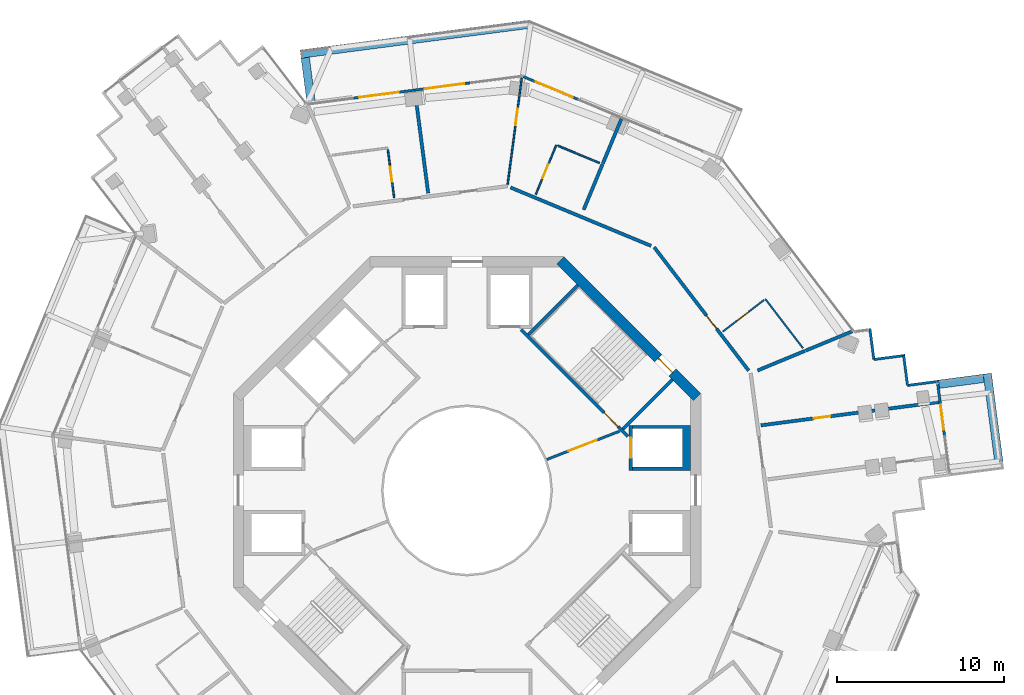
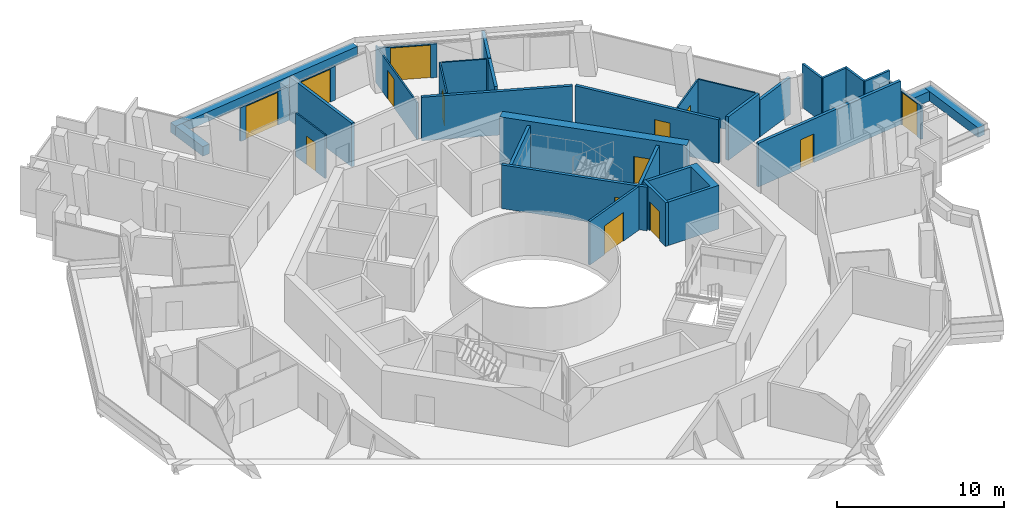
# One storey, part 21 of 25: 33 walls, 14 doors, 14 openings.
"""IFC4 building model written with IfcOpenShell, lengths in metres."""

from ifc_helpers import new_model, si_unit, direction, frame, frame_2d, origin, place, context, subcontext, project, spatial, polyline, rectangle, outline, extrude, material, layer, layer_set, type_object, element, fill, save


model = new_model("IFC4")

# Units and contexts
model_context = context("Model", 3, precision=1e-05, world=origin(), true_north=direction((0.0, 1.0)))
body_context = subcontext(model_context, "Body", "Model", "MODEL_VIEW")
ifc_project = project(units=[si_unit("LENGTHUNIT", "METRE"), si_unit("AREAUNIT", "SQUARE_METRE"), si_unit("VOLUMEUNIT", "CUBIC_METRE"), si_unit("PLANEANGLEUNIT", "RADIAN"), si_unit("MASSUNIT", "GRAM", prefix="KILO")], contexts=[model_context])

# Site, building, storey
site_placement = place(None, origin())
site = spatial("IfcSite", under=ifc_project, at=site_placement, CompositionType="ELEMENT")
building_placement = place(site_placement, origin())
building = spatial("IfcBuilding", under=site, at=building_placement, Name="Verdalira Terraces Hotel", CompositionType="ELEMENT")
storey_placement = place(building_placement, frame((0.0, 0.0, 187.0)))
storey = spatial("IfcBuildingStorey", under=building, at=storey_placement, Name="L45", CompositionType="ELEMENT", Elevation=187.0)

# Walls
ifc_material_1 = material(Name="Concrete C40", Category="concrete")
ifc_layer_1 = layer(ifc_material_1, 0.5)
ifc_layer_set_1 = layer_set([ifc_layer_1], Name="Balcony planter trough with tree")
wall_type_1 = type_object("IfcWallType", Name="Balcony planter trough with tree", PredefinedType="SOLIDWALL", material=ifc_layer_set_1)
wall_1_placement = place(storey_placement, frame((31.851318, 1.739014, 0.0), z_axis=(0.0, 0.0, 1.0), x_axis=(-0.12948688, 0.991581135, 0.0)))
element("IfcWall", 1, at=wall_1_placement, inside=storey, type_object=wall_type_1, Name="Balcony planter", PredefinedType="SOLIDWALL", context=body_context, shape_type="SweptSolid", body=[
    extrude(rectangle(XDim=5.300049, YDim=0.5, at=frame_2d((2.649902, 0.0))), origin(), (0.0, 0.0, 1.0), 0.699951),
])
wall_2_placement = place(storey_placement, frame((30.949463, 6.714111, 0.0), z_axis=(0.0, 0.0, 1.0), x_axis=(-0.991575172, -0.129532535, 0.0)))
element("IfcWall", 2, at=wall_2_placement, inside=storey, type_object=wall_type_1, Name="Balcony planter", PredefinedType="SOLIDWALL", context=body_context, shape_type="SweptSolid", body=[
    extrude(rectangle(XDim=2.698975, YDim=0.5, at=frame_2d((1.349609, 0.0))), origin(), (0.0, 0.0, 1.0), 0.699951),
])
wall_3_placement = place(storey_placement, frame((3.639404, 27.914551, 0.0), z_axis=(0.0, 0.0, 1.0), x_axis=(-0.991582546, -0.12947608, 0.0)))
element("IfcWall", 3, at=wall_3_placement, inside=storey, type_object=wall_type_1, Name="Balcony planter", PredefinedType="SOLIDWALL", context=body_context, shape_type="SweptSolid", body=[
    extrude(rectangle(XDim=13.723389, YDim=0.5, at=frame_2d((6.861816, 0.0))), origin(), (0.0, 0.0, 1.0), 0.699951),
])
wall_4_placement = place(storey_placement, frame((-9.688232, 25.922119, 0.0), z_axis=(0.0, 0.0, 1.0), x_axis=(0.129532535, -0.991575172, 0.0)))
element("IfcWall", 4, at=wall_4_placement, inside=storey, type_object=wall_type_1, Name="Balcony planter", PredefinedType="SOLIDWALL", context=body_context, shape_type="SweptSolid", body=[
    extrude(rectangle(XDim=2.698975, YDim=0.5, at=frame_2d((1.349609, 0.0))), origin(), (0.0, 0.0, 1.0), 0.699951),
])

# Wall, opening, door
ifc_material_2 = material(Name="Moisture-resistant gypsum board partition")
ifc_layer_2 = layer(ifc_material_2, 0.10009765625)
ifc_layer_set_2 = layer_set([ifc_layer_2], Name="Bathroom partition 100 mm")
wall_type_2 = type_object("IfcWallType", Name="Bathroom partition 100 mm", PredefinedType="PARTITIONING", material=ifc_layer_set_2)
wall_5_placement = place(storey_placement, frame((-4.366455, 17.540527, 0.0), z_axis=(0.0, 0.0, 1.0), x_axis=(-0.129472341, 0.991583034, 0.0)))
wall_5 = element("IfcWall", 5, at=wall_5_placement, inside=storey, type_object=wall_type_2, Name="Bathroom partition", PredefinedType="PARTITIONING", context=body_context, shape_type="SweptSolid", body=[
    extrude(rectangle(XDim=2.900146, YDim=0.100098, at=frame_2d((1.450195, 0.0))), origin(), (0.0, 0.0, 1.0), 3.189941),
])
opening_1_placement = place(wall_5_placement, frame((0.949951, 0.0, 0.0)))
opening_1 = element("IfcOpeningElement", 6, at=opening_1_placement, cuts=wall_5, Name="Opening L45-131", PredefinedType="OPENING", context=body_context, shape_type="SweptSolid", body=[
    extrude(rectangle(XDim=0.899902, YDim=2.100098, at=frame_2d((0.449951, 1.050049))), frame((0.0, 0.060059, 0.0), z_axis=(0.0, -1.0, 0.0), x_axis=(1.0, 0.0, 0.0)), (0.0, 0.0, 1.0), 0.120117),
])
ifc_material_3 = material(Name="Timber door", Category="wood")
door_type_1 = type_object("IfcDoorType", Name="Bathroom door 900 x 2100", OperationType="NOTDEFINED", PredefinedType="DOOR", material=ifc_material_3)
door_1_placement = place(opening_1_placement, origin())
door_1 = element("IfcDoor", 7, at=door_1_placement, inside=storey, type_object=door_type_1, Name="Bathroom door 4511", OperationType="SINGLE_SWING_RIGHT", OverallHeight=2.10009765625, OverallWidth=0.89990234375, PredefinedType="DOOR", context=body_context, shape_type="SweptSolid", body=[
    extrude(rectangle(XDim=0.899902, YDim=2.100098, at=frame_2d((0.449951, 1.050049))), frame((0.0, 0.024902, 0.0), z_axis=(0.0, -1.0, 0.0), x_axis=(1.0, 0.0, 0.0)), (0.0, 0.0, 1.0), 0.050049),
])
fill(opening_1, door_1)

wall_6_placement = place(storey_placement, frame((5.346924, 20.690186, 0.0), z_axis=(0.0, 0.0, 1.0), x_axis=(-0.383618341, -0.923491726, 0.0)))
wall_6 = element("IfcWall", 8, at=wall_6_placement, inside=storey, type_object=wall_type_2, Name="Bathroom partition", PredefinedType="PARTITIONING", context=body_context, shape_type="SweptSolid", body=[
    extrude(rectangle(XDim=3.199951, YDim=0.100098, at=frame_2d((1.600098, 0.0))), origin(), (0.0, 0.0, 1.0), 3.189941),
])
opening_2_placement = place(wall_6_placement, frame((1.25, 0.0, 0.0)))
opening_2 = element("IfcOpeningElement", 9, at=opening_2_placement, cuts=wall_6, Name="Opening L45-129", PredefinedType="OPENING", context=body_context, shape_type="SweptSolid", body=[
    extrude(rectangle(XDim=0.899902, YDim=2.100098, at=frame_2d((0.449951, 1.050049))), frame((0.0, 0.060059, 0.0), z_axis=(0.0, -1.0, 0.0), x_axis=(1.0, 0.0, 0.0)), (0.0, 0.0, 1.0), 0.120117),
])
door_2_placement = place(opening_2_placement, origin())
door_2 = element("IfcDoor", 10, at=door_2_placement, inside=storey, type_object=door_type_1, Name="Bathroom door 4510", OperationType="SINGLE_SWING_LEFT", OverallHeight=2.10009765625, OverallWidth=0.89990234375, PredefinedType="DOOR", context=body_context, shape_type="SweptSolid", body=[
    extrude(rectangle(XDim=0.899902, YDim=2.100098, at=frame_2d((0.449951, 1.050049))), frame((0.0, 0.024902, 0.0), z_axis=(0.0, -1.0, 0.0), x_axis=(1.0, 0.0, 0.0)), (0.0, 0.0, 1.0), 0.050049),
])
fill(opening_2, door_2)

# Wall
wall_7_placement = place(storey_placement, frame((7.932617, 19.615967, 0.0), z_axis=(0.0, 0.0, 1.0), x_axis=(-0.923475031, 0.383658529, 0.0)))
element("IfcWall", 11, at=wall_7_placement, inside=storey, type_object=wall_type_2, Name="Bathroom partition", PredefinedType="PARTITIONING", context=body_context, shape_type="SweptSolid", body=[
    extrude(rectangle(XDim=2.699951, YDim=0.100098, at=frame_2d((1.350098, 0.0))), origin(), (0.0, 0.0, 1.0), 3.189941),
])

# Wall, opening, door
wall_8_placement = place(storey_placement, frame((17.789062, 11.406006, 0.0), z_axis=(0.0, 0.0, 1.0), x_axis=(-0.793968729, -0.607958598, 0.0)))
wall_8 = element("IfcWall", 12, at=wall_8_placement, inside=storey, type_object=wall_type_2, Name="Bathroom partition", PredefinedType="PARTITIONING", context=body_context, shape_type="SweptSolid", body=[
    extrude(rectangle(XDim=3.100098, YDim=0.100098, at=frame_2d((1.550049, 0.0))), origin(), (0.0, 0.0, 1.0), 3.189941),
])
opening_3_placement = place(wall_8_placement, frame((1.149902, 0.0, 0.0)))
opening_3 = element("IfcOpeningElement", 13, at=opening_3_placement, cuts=wall_8, Name="Opening L45-126", PredefinedType="OPENING", context=body_context, shape_type="SweptSolid", body=[
    extrude(rectangle(XDim=0.899902, YDim=2.100098, at=frame_2d((0.449951, 1.050049))), frame((0.0, 0.060059, 0.0), z_axis=(0.0, -1.0, 0.0), x_axis=(1.0, 0.0, 0.0)), (0.0, 0.0, 1.0), 0.120117),
])
door_3_placement = place(opening_3_placement, origin())
door_3 = element("IfcDoor", 14, at=door_3_placement, inside=storey, type_object=door_type_1, Name="Bathroom door 4509", OperationType="SINGLE_SWING_LEFT", OverallHeight=2.10009765625, OverallWidth=0.89990234375, PredefinedType="DOOR", context=body_context, shape_type="SweptSolid", body=[
    extrude(rectangle(XDim=0.899902, YDim=2.100098, at=frame_2d((0.449951, 1.050049))), frame((0.0, 0.024902, 0.0), z_axis=(0.0, -1.0, 0.0), x_axis=(1.0, 0.0, 0.0)), (0.0, 0.0, 1.0), 0.050049),
])
fill(opening_3, door_3)

# Wall
wall_9_placement = place(storey_placement, frame((17.868408, 11.466797, 0.0), z_axis=(0.0, 0.0, 1.0), x_axis=(0.60792219, -0.793996606, 0.0)))
element("IfcWall", 15, at=wall_9_placement, inside=storey, type_object=wall_type_2, Name="Bathroom partition", PredefinedType="PARTITIONING", context=body_context, shape_type="SweptSolid", body=[
    extrude(rectangle(XDim=3.703857, YDim=0.100098, at=frame_2d((1.852051, 0.0))), origin(), (0.0, 0.0, 1.0), 3.189941),
])

# Wall, opening, door
ifc_material_4 = material(Name="Moisture-resistant gypsum board partition")
ifc_layer_3 = layer(ifc_material_4, 0.10009765625)
ifc_layer_set_3 = layer_set([ifc_layer_3], Name="Bathroom partition 100 mm to beam soffit")
wall_type_3 = type_object("IfcWallType", Name="Bathroom partition 100 mm to beam soffit", PredefinedType="PARTITIONING", material=ifc_layer_set_3)
wall_10_placement = place(storey_placement, frame((3.284424, 24.74707, 0.0), z_axis=(0.0, 0.0, 1.0), x_axis=(-0.131575959, -0.991306092, 0.0)))
wall_10 = element("IfcWall", 16, at=wall_10_placement, inside=storey, type_object=wall_type_3, Name="Bathroom partition", PredefinedType="PARTITIONING", context=body_context, shape_type="SweptSolid", body=[
    extrude(rectangle(XDim=6.47583, YDim=0.100098, at=frame_2d((3.237793, 0.0))), origin(), (0.0, 0.0, 1.0), 2.689941),
])
opening_4_placement = place(wall_10_placement, frame((1.899902, 0.0, 0.0)))
opening_4 = element("IfcOpeningElement", 17, at=opening_4_placement, cuts=wall_10, Name="Opening L45-128", PredefinedType="OPENING", context=body_context, shape_type="SweptSolid", body=[
    extrude(rectangle(XDim=1.0, YDim=2.100098, at=frame_2d((0.5, 1.050049))), frame((0.0, 0.060059, 0.0), z_axis=(0.0, -1.0, 0.0), x_axis=(1.0, 0.0, 0.0)), (0.0, 0.0, 1.0), 0.120117),
])
ifc_material_5 = material(Name="Timber door", Category="wood")
door_type_2 = type_object("IfcDoorType", Name="Suite internal door 1000 x 2100", OperationType="NOTDEFINED", PredefinedType="DOOR", material=ifc_material_5)
door_4_placement = place(opening_4_placement, origin())
door_4 = element("IfcDoor", 18, at=door_4_placement, inside=storey, type_object=door_type_2, Name="Suite internal door 4510", OperationType="SINGLE_SWING_LEFT", OverallHeight=2.10009765625, OverallWidth=1.0, PredefinedType="DOOR", context=body_context, shape_type="SweptSolid", body=[
    extrude(rectangle(XDim=1.0, YDim=2.100098, at=frame_2d((0.5, 1.050049))), frame((0.0, 0.024902, 0.0), z_axis=(0.0, -1.0, 0.0), x_axis=(1.0, 0.0, 0.0)), (0.0, 0.0, 1.0), 0.050049),
])
fill(opening_4, door_4)

# Wall
ifc_material_6 = material(Name="Concrete C50", Category="concrete")
ifc_layer_4 = layer(ifc_material_6, 0.199951171875)
ifc_layer_set_4 = layer_set([ifc_layer_4], Name="Core RC wall 200 C50")
wall_type_4 = type_object("IfcWallType", Name="Core RC wall 200 C50", PredefinedType="SOLIDWALL", material=ifc_layer_set_4)
wall_11_placement = place(storey_placement, origin())
element("IfcWall", 19, at=wall_11_placement, inside=storey, type_object=wall_type_4, Name="L45 shaft wall E2", PredefinedType="SOLIDWALL", context=body_context, shape_type="SweptSolid", body=[
    extrude(outline(polyline([(13.399902, 3.899902), (13.399902, 1.199951), (9.899902, 1.199951), (9.899902, 1.399902), (12.899902, 1.399902), (12.899902, 3.699951), (9.899902, 3.699951), (9.899902, 3.899902), (13.399902, 3.899902)])), origin(), (0.0, 0.0, 1.0), 3.189941),
])

# Wall, opening, door
wall_12_placement = place(storey_placement, frame((9.800049, 1.199951, 0.0), z_axis=(0.0, 0.0, 1.0), x_axis=(0.0, 1.0, 0.0)))
wall_12 = element("IfcWall", 20, at=wall_12_placement, inside=storey, type_object=wall_type_4, Name="L45 shaft front wall E2", PredefinedType="SOLIDWALL", context=body_context, shape_type="SweptSolid", body=[
    extrude(rectangle(XDim=2.699951, YDim=0.199951, at=frame_2d((1.350098, 0.0))), origin(), (0.0, 0.0, 1.0), 3.189941),
])
opening_5_placement = place(wall_12_placement, frame((0.75, 0.0, 0.0)))
opening_5 = element("IfcOpeningElement", 21, at=opening_5_placement, cuts=wall_12, Name="Opening LD-L45-803", PredefinedType="OPENING", context=body_context, shape_type="SweptSolid", body=[
    extrude(rectangle(XDim=1.199951, YDim=2.100098, at=frame_2d((0.600098, 1.050049))), frame((0.0, 0.109863, 0.0), z_axis=(0.0, -1.0, 0.0), x_axis=(1.0, 0.0, 0.0)), (0.0, 0.0, 1.0), 0.219971),
])
ifc_material_7 = material(Name="Stainless steel", Category="steel")
door_type_3 = type_object("IfcDoorType", Name="Landing door 1200 x 2100", OperationType="NOTDEFINED", PredefinedType="DOOR", material=ifc_material_7)
door_5_placement = place(opening_5_placement, origin())
door_5 = element("IfcDoor", 22, at=door_5_placement, inside=storey, type_object=door_type_3, Name="Lift landing door HR2 L45", OperationType="DOUBLE_DOOR_SLIDING", OverallHeight=2.10009765625, OverallWidth=1.199951171875, PredefinedType="DOOR", context=body_context, shape_type="SweptSolid", body=[
    extrude(rectangle(XDim=1.199951, YDim=2.100098, at=frame_2d((0.600098, 1.050049))), frame((0.0, 0.024902, 0.0), z_axis=(0.0, -1.0, 0.0), x_axis=(1.0, 0.0, 0.0)), (0.0, 0.0, 1.0), 0.050049),
])
fill(opening_5, door_5)

wall_13_placement = place(storey_placement, frame((3.23999, 9.629395, 0.0), z_axis=(0.0, 0.0, 1.0), x_axis=(0.707106781, -0.707106781, 0.0)))
wall_13 = element("IfcWall", 23, at=wall_13_placement, inside=storey, type_object=wall_type_4, Name="L45 stair ST1 front wall", PredefinedType="SOLIDWALL", context=body_context, shape_type="SweptSolid", body=[
    extrude(rectangle(XDim=9.035889, YDim=0.199951, at=frame_2d((4.518066, 0.0))), origin(), (0.0, 0.0, 1.0), 3.189941),
])
opening_6_placement = place(wall_13_placement, frame((7.017822, 0.0, 0.0)))
opening_6 = element("IfcOpeningElement", 24, at=opening_6_placement, cuts=wall_13, Name="Opening L45-810", PredefinedType="OPENING", context=body_context, shape_type="SweptSolid", body=[
    extrude(rectangle(XDim=1.199951, YDim=2.100098, at=frame_2d((0.600098, 1.050049))), frame((0.0, 0.109863, 0.0), z_axis=(0.0, -1.0, 0.0), x_axis=(1.0, 0.0, 0.0)), (0.0, 0.0, 1.0), 0.219971),
])
ifc_material_8 = material(Name="Steel fire door", Category="steel")
door_type_4 = type_object("IfcDoorType", Name="Stair door 1200 x 2100", OperationType="NOTDEFINED", PredefinedType="DOOR", material=ifc_material_8)
door_6_placement = place(opening_6_placement, origin())
door_6 = element("IfcDoor", 25, at=door_6_placement, inside=storey, type_object=door_type_4, Name="Stair door ST1 L45", OperationType="SINGLE_SWING_RIGHT", OverallHeight=2.10009765625, OverallWidth=1.199951171875, PredefinedType="DOOR", context=body_context, shape_type="SweptSolid", body=[
    extrude(rectangle(XDim=1.199951, YDim=2.100098, at=frame_2d((0.600098, 1.050049))), frame((0.0, 0.024902, 0.0), z_axis=(0.0, -1.0, 0.0), x_axis=(1.0, 0.0, 0.0)), (0.0, 0.0, 1.0), 0.050049),
])
fill(opening_6, door_6)

# Walls
for number, where, z_axis, x_axis, name in (
    (26, (9.33374, 3.677002, 0.0), (0.0, 0.0, 1.0), (0.707135845, 0.707077716, 0.0), "L45 stair ST1 end wall 1"),
    (27, (3.677002, 9.33374, 0.0), (0.0, 0.0, 1.0), (0.707077716, 0.707135845, 0.0), "L45 stair ST1 end wall 2"),
):
    element("IfcWall", number, at=place(storey_placement, frame(where, z_axis=z_axis, x_axis=x_axis)), inside=storey, type_object=wall_type_4, Name=name, PredefinedType="SOLIDWALL", context=body_context, shape_type="SweptSolid", body=[
        extrude(rectangle(XDim=4.199951, YDim=0.199951, at=frame_2d((2.100098, 0.0))), origin(), (0.0, 0.0, 1.0), 3.189941),
    ])

# Wall, opening, door
ifc_material_9 = material(Name="Gypsum board partition")
ifc_layer_5 = layer(ifc_material_9, 0.14990234375)
ifc_layer_set_5 = layer_set([ifc_layer_5], Name="Core partition 150 mm")
wall_type_5 = type_object("IfcWallType", Name="Core partition 150 mm", PredefinedType="PARTITIONING", material=ifc_layer_set_5)
wall_14_placement = place(storey_placement, frame((4.781982, 1.857178, 0.0), z_axis=(0.0, 0.0, 1.0), x_axis=(0.932157474, 0.362053096, 0.0)))
wall_14 = element("IfcWall", 28, at=wall_14_placement, inside=storey, type_object=wall_type_5, Name="Gallery fire partition L45", PredefinedType="PARTITIONING", context=body_context, shape_type="SweptSolid", body=[
    extrude(rectangle(XDim=4.675049, YDim=0.149902, at=frame_2d((2.337402, 0.0))), origin(), (0.0, 0.0, 1.0), 3.189941),
])
opening_7_placement = place(wall_14_placement, frame((1.399902, 0.0, 0.0)))
opening_7 = element("IfcOpeningElement", 29, at=opening_7_placement, cuts=wall_14, Name="Opening L45-823", PredefinedType="OPENING", context=body_context, shape_type="SweptSolid", body=[
    extrude(rectangle(XDim=1.800049, YDim=2.100098, at=frame_2d((0.899902, 1.050049))), frame((0.0, 0.084961, 0.0), z_axis=(0.0, -1.0, 0.0), x_axis=(1.0, 0.0, 0.0)), (0.0, 0.0, 1.0), 0.169922),
])
ifc_material_10 = material(Name="Steel fire door", Category="steel")
door_type_5 = type_object("IfcDoorType", Name="Gallery fire door pair 1800 x 2100", OperationType="NOTDEFINED", PredefinedType="DOOR", material=ifc_material_10)
door_7_placement = place(opening_7_placement, origin())
door_7 = element("IfcDoor", 30, at=door_7_placement, inside=storey, type_object=door_type_5, Name="Door L45 split0", OperationType="DOUBLE_DOOR_SINGLE_SWING", OverallHeight=2.10009765625, OverallWidth=1.800048828125, PredefinedType="DOOR", context=body_context, shape_type="SweptSolid", body=[
    extrude(rectangle(XDim=1.800049, YDim=2.100098, at=frame_2d((0.899902, 1.050049))), frame((0.0, 0.024902, 0.0), z_axis=(0.0, -1.0, 0.0), x_axis=(1.0, 0.0, 0.0)), (0.0, 0.0, 1.0), 0.050049),
])
fill(opening_7, door_7)

ifc_material_11 = material(Name="Concrete C60", Category="concrete")
ifc_layer_6 = layer(ifc_material_11, 0.60009765625)
ifc_layer_set_6 = layer_set([ifc_layer_6], Name="Core wall 600 C60")
wall_type_6 = type_object("IfcWallType", Name="Core wall 600 C60", PredefinedType="SHEAR", material=ifc_layer_set_6)
wall_15_placement = place(storey_placement, frame((13.787842, 5.586914, 0.0), z_axis=(0.0, 0.0, 1.0), x_axis=(-0.707106781, 0.707106781, 0.0)))
wall_15 = element("IfcWall", 31, at=wall_15_placement, inside=storey, type_object=wall_type_6, Name="Core wall CW-L45-2", PredefinedType="SHEAR", context=body_context, shape_type="SweptSolid", body=[
    extrude(rectangle(XDim=11.5979, YDim=0.600098, at=frame_2d((5.798828, 0.0))), origin(), (0.0, 0.0, 1.0), 3.5),
])
opening_8_placement = place(wall_15_placement, frame((2.099121, 0.0, 0.0)))
opening_8 = element("IfcOpeningElement", 32, at=opening_8_placement, cuts=wall_15, Name="Opening L45-816", PredefinedType="OPENING", context=body_context, shape_type="SweptSolid", body=[
    extrude(rectangle(XDim=1.199951, YDim=2.100098, at=frame_2d((0.600098, 1.050049))), frame((0.0, 0.310059, 0.0), z_axis=(0.0, -1.0, 0.0), x_axis=(1.0, 0.0, 0.0)), (0.0, 0.0, 1.0), 0.620117),
])
door_8_placement = place(opening_8_placement, origin())
door_8 = element("IfcDoor", 33, at=door_8_placement, inside=storey, type_object=door_type_4, Name="Stair exit door ST1 L45", OperationType="SINGLE_SWING_LEFT", OverallHeight=2.10009765625, OverallWidth=1.199951171875, PredefinedType="DOOR", context=body_context, shape_type="SweptSolid", body=[
    extrude(rectangle(XDim=1.199951, YDim=2.100098, at=frame_2d((0.600098, 1.050049))), frame((0.0, 0.024902, 0.0), z_axis=(0.0, -1.0, 0.0), x_axis=(1.0, 0.0, 0.0)), (0.0, 0.0, 1.0), 0.050049),
])
fill(opening_8, door_8)

# Walls
ifc_material_12 = material(Name="Fire-rated gypsum board wall")
ifc_layer_7 = layer(ifc_material_12, 0.199951171875)
ifc_layer_set_7 = layer_set([ifc_layer_7], Name="Demising wall 200 mm")
wall_type_7 = type_object("IfcWallType", Name="Demising wall 200 mm", PredefinedType="SOLIDWALL", material=ifc_layer_set_7)
wall_16_placement = place(storey_placement, frame((-2.325439, 17.807129, 0.0), z_axis=(0.0, 0.0, 1.0), x_axis=(-0.12945119, 0.991585795, 0.0)))
element("IfcWall", 34, at=wall_16_placement, inside=storey, type_object=wall_type_7, Name="Demising wall", PredefinedType="SOLIDWALL", context=body_context, shape_type="SweptSolid", body=[
    extrude(rectangle(XDim=6.150146, YDim=0.199951, at=frame_2d((3.075195, 0.0))), origin(), (0.0, 0.0, 1.0), 3.189941),
])
wall_17_placement = place(storey_placement, frame((6.984619, 16.8125, 0.0), z_axis=(0.0, 0.0, 1.0), x_axis=(0.383652947, 0.92347735, 0.0)))
element("IfcWall", 35, at=wall_17_placement, inside=storey, type_object=wall_type_7, Name="Demising wall", PredefinedType="SOLIDWALL", context=body_context, shape_type="SweptSolid", body=[
    extrude(rectangle(XDim=2.95459, YDim=0.199951, at=frame_2d((1.477295, 0.0))), origin(), (0.0, 0.0, 1.0), 3.189941),
])
wall_18_placement = place(storey_placement, frame((8.135742, 19.583496, 0.0), z_axis=(0.0, 0.0, 1.0), x_axis=(0.383701253, 0.92345728, 0.0)))
element("IfcWall", 36, at=wall_18_placement, inside=storey, type_object=wall_type_7, Name="Demising wall", PredefinedType="SOLIDWALL", context=body_context, shape_type="SweptSolid", body=[
    extrude(rectangle(XDim=2.9021, YDim=0.199951, at=frame_2d((1.451172, 0.0))), origin(), (0.0, 0.0, 1.0), 3.189941),
])
wall_19_placement = place(storey_placement, frame((17.406006, 7.188477, 0.0), z_axis=(0.0, 0.0, 1.0), x_axis=(0.92428457, 0.381704118, 0.0)))
element("IfcWall", 37, at=wall_19_placement, inside=storey, type_object=wall_type_7, Name="Demising wall", PredefinedType="SOLIDWALL", context=body_context, shape_type="SweptSolid", body=[
    extrude(rectangle(XDim=3.074707, YDim=0.199951, at=frame_2d((1.537354, 0.0))), origin(), (0.0, 0.0, 1.0), 3.189941),
])

# Wall, opening, door
wall_20_placement = place(storey_placement, frame((17.601318, 3.900879, 0.0), z_axis=(0.0, 0.0, 1.0), x_axis=(0.991580137, 0.129494525, 0.0)))
wall_20 = element("IfcWall", 38, at=wall_20_placement, inside=storey, type_object=wall_type_7, Name="Demising wall", PredefinedType="SOLIDWALL", context=body_context, shape_type="SweptSolid", body=[
    extrude(rectangle(XDim=10.750244, YDim=0.199951, at=frame_2d((5.375, 0.0))), origin(), (0.0, 0.0, 1.0), 3.189941),
])
opening_9_placement = place(wall_20_placement, frame((3.199951, 0.0, 0.0)))
opening_9 = element("IfcOpeningElement", 39, at=opening_9_placement, cuts=wall_20, Name="Opening L45-124", PredefinedType="OPENING", context=body_context, shape_type="SweptSolid", body=[
    extrude(rectangle(XDim=1.0, YDim=2.100098, at=frame_2d((0.5, 1.050049))), frame((0.0, 0.109863, 0.0), z_axis=(0.0, -1.0, 0.0), x_axis=(1.0, 0.0, 0.0)), (0.0, 0.0, 1.0), 0.219971),
])
ifc_material_13 = material(Name="Timber fire door", Category="wood")
door_type_6 = type_object("IfcDoorType", Name="Public room door 1000 x 2100", OperationType="NOTDEFINED", PredefinedType="DOOR", material=ifc_material_13)
door_9_placement = place(opening_9_placement, origin())
door_9 = element("IfcDoor", 40, at=door_9_placement, inside=storey, type_object=door_type_6, Name="Public room door 4508", OperationType="SINGLE_SWING_LEFT", OverallHeight=2.10009765625, OverallWidth=1.0, PredefinedType="DOOR", context=body_context, shape_type="SweptSolid", body=[
    extrude(rectangle(XDim=1.0, YDim=2.100098, at=frame_2d((0.5, 1.050049))), frame((0.0, 0.024902, 0.0), z_axis=(0.0, -1.0, 0.0), x_axis=(1.0, 0.0, 0.0)), (0.0, 0.0, 1.0), 0.050049),
])
fill(opening_9, door_9)

# Walls
ifc_material_14 = material(Name="Fire-rated gypsum board wall")
ifc_layer_8 = layer(ifc_material_14, 0.199951171875)
ifc_layer_set_8 = layer_set([ifc_layer_8], Name="Demising wall 200 mm to beam soffit")
wall_type_8 = type_object("IfcWallType", Name="Demising wall 200 mm to beam soffit", PredefinedType="SOLIDWALL", material=ifc_layer_set_8)
wall_21_placement = place(storey_placement, frame((20.290283, 8.379639, 0.0), z_axis=(0.0, 0.0, 1.0), x_axis=(0.924264536, 0.381752627, 0.0)))
element("IfcWall", 41, at=wall_21_placement, inside=storey, type_object=wall_type_8, Name="Demising wall", PredefinedType="SOLIDWALL", context=body_context, shape_type="SweptSolid", body=[
    extrude(rectangle(XDim=3.011475, YDim=0.199951, at=frame_2d((1.505859, 0.0))), origin(), (0.0, 0.0, 1.0), 2.689941),
])
ifc_material_15 = material(Name="Fire-rated gypsum board wall")
ifc_layer_9 = layer(ifc_material_15, 0.199951171875)
ifc_layer_set_9 = layer_set([ifc_layer_9], Name="Guest corridor wall 200 mm")
wall_type_9 = type_object("IfcWallType", Name="Guest corridor wall 200 mm", PredefinedType="SOLIDWALL", material=ifc_layer_set_9)
wall_22_placement = place(storey_placement, frame((11.021973, 14.650879, 0.0), z_axis=(0.0, 0.0, 1.0), x_axis=(-0.923480514, 0.383645333, 0.0)))
element("IfcWall", 42, at=wall_22_placement, inside=storey, type_object=wall_type_9, Name="Guest corridor wall", PredefinedType="SOLIDWALL", context=body_context, shape_type="SweptSolid", body=[
    extrude(rectangle(XDim=9.115967, YDim=0.199951, at=frame_2d((4.558105, 0.0))), origin(), (0.0, 0.0, 1.0), 3.189941),
])

# Wall, opening, door
wall_23_placement = place(storey_placement, frame((11.20752, 14.573486, 0.0), z_axis=(0.0, 0.0, 1.0), x_axis=(0.607928573, -0.793991719, 0.0)))
wall_23 = element("IfcWall", 43, at=wall_23_placement, inside=storey, type_object=wall_type_9, Name="Guest corridor wall", PredefinedType="SOLIDWALL", context=body_context, shape_type="SweptSolid", body=[
    extrude(rectangle(XDim=9.316162, YDim=0.199951, at=frame_2d((4.658203, 0.0))), origin(), (0.0, 0.0, 1.0), 3.189941),
])
opening_10_placement = place(wall_23_placement, frame((5.149902, 0.0, 0.0)))
opening_10 = element("IfcOpeningElement", 44, at=opening_10_placement, cuts=wall_23, Name="Opening L45-125", PredefinedType="OPENING", context=body_context, shape_type="SweptSolid", body=[
    extrude(rectangle(XDim=1.0, YDim=2.100098, at=frame_2d((0.5, 1.050049))), frame((0.0, 0.109863, 0.0), z_axis=(0.0, -1.0, 0.0), x_axis=(1.0, 0.0, 0.0)), (0.0, 0.0, 1.0), 0.219971),
])
ifc_material_16 = material(Name="Timber fire door", Category="wood")
door_type_7 = type_object("IfcDoorType", Name="Guest entry door 1000 x 2100", OperationType="NOTDEFINED", PredefinedType="DOOR", material=ifc_material_16)
door_10_placement = place(opening_10_placement, origin())
door_10 = element("IfcDoor", 45, at=door_10_placement, inside=storey, type_object=door_type_7, Name="Guest entry door 4509", OperationType="SINGLE_SWING_LEFT", OverallHeight=2.10009765625, OverallWidth=1.0, PredefinedType="DOOR", context=body_context, shape_type="SweptSolid", body=[
    extrude(rectangle(XDim=1.0, YDim=2.100098, at=frame_2d((0.5, 1.050049))), frame((0.0, 0.024902, 0.0), z_axis=(0.0, -1.0, 0.0), x_axis=(1.0, 0.0, 0.0)), (0.0, 0.0, 1.0), 0.050049),
])
fill(opening_10, door_10)

# Walls
ifc_material_17 = material(Name="Terracotta cladding", Category="masonry")
ifc_layer_10 = layer(ifc_material_17, 0.14990234375)
ifc_layer_set_10 = layer_set([ifc_layer_10], Name="Terracotta clad wall 150")
wall_type_10 = type_object("IfcWallType", Name="Terracotta clad wall 150", PredefinedType="SOLIDWALL", material=ifc_layer_set_10)
wall_24_placement = place(storey_placement, frame((28.249512, 6.538086, 0.0), z_axis=(0.0, 0.0, 1.0), x_axis=(-0.991571342, -0.12956185, 0.0)))
element("IfcWall", 46, at=wall_24_placement, inside=storey, type_object=wall_type_10, Name="Terracotta cladding wall", PredefinedType="SOLIDWALL", context=body_context, shape_type="SweptSolid", body=[
    extrude(rectangle(XDim=1.875, YDim=0.149902, at=frame_2d((0.9375, 0.0))), origin(), (0.0, 0.0, 1.0), 3.189941),
])
wall_25_placement = place(storey_placement, frame((26.390381, 6.295166, 0.0), z_axis=(0.0, 0.0, 1.0), x_axis=(-0.129524725, 0.991576193, 0.0)))
element("IfcWall", 47, at=wall_25_placement, inside=storey, type_object=wall_type_10, Name="Terracotta cladding wall", PredefinedType="SOLIDWALL", context=body_context, shape_type="SweptSolid", body=[
    extrude(rectangle(XDim=1.800049, YDim=0.149902, at=frame_2d((0.899902, 0.0))), origin(), (0.0, 0.0, 1.0), 3.189941),
])
for number, where, z_axis, x_axis, name in (
    (48, (26.231689, 8.089844, 0.0), (0.0, 0.0, 1.0), (-0.991573528, -0.129545123, 0.0), "Terracotta cladding wall"),
    (49, (24.372314, 7.846924, 0.0), (0.0, 0.0, 1.0), (-0.129417109, 0.991590244, 0.0), "Terracotta cladding wall"),
):
    element("IfcWall", number, at=place(storey_placement, frame(where, z_axis=z_axis, x_axis=x_axis)), inside=storey, type_object=wall_type_10, Name=name, PredefinedType="SOLIDWALL", context=body_context, shape_type="SweptSolid", body=[
        extrude(rectangle(XDim=1.875244, YDim=0.149902, at=frame_2d((0.9375, 0.0))), origin(), (0.0, 0.0, 1.0), 3.189941),
    ])

# Wall, opening, door
ifc_material_18 = material(Name="Terracotta cladding", Category="masonry")
ifc_layer_11 = layer(ifc_material_18, 0.14990234375)
ifc_layer_set_11 = layer_set([ifc_layer_11], Name="Terracotta door pier 150")
wall_type_11 = type_object("IfcWallType", Name="Terracotta door pier 150", PredefinedType="SOLIDWALL", material=ifc_layer_set_11)
wall_26_placement = place(storey_placement, frame((28.604492, 3.241211, 0.0), z_axis=(0.0, 0.0, 1.0), x_axis=(-0.129491122, 0.991580581, 0.0)))
wall_26 = element("IfcWall", 50, at=wall_26_placement, inside=storey, type_object=wall_type_11, Name="Terracotta door pier", PredefinedType="SOLIDWALL", context=body_context, shape_type="SweptSolid", body=[
    extrude(rectangle(XDim=3.159912, YDim=0.149902, at=frame_2d((1.580078, 0.0))), origin(), (0.0, 0.0, 1.0), 2.475098),
])
opening_11_placement = place(wall_26_placement, frame((0.399902, 0.0, 0.0)))
opening_11 = element("IfcOpeningElement", 51, at=opening_11_placement, cuts=wall_26, Name="Opening L45-B10", PredefinedType="OPENING", context=body_context, shape_type="SweptSolid", body=[
    extrude(rectangle(XDim=1.5, YDim=2.399902, at=frame_2d((0.75, 1.199951))), frame((0.0, 0.084961, 0.0), z_axis=(0.0, -1.0, 0.0), x_axis=(1.0, 0.0, 0.0)), (0.0, 0.0, 1.0), 0.169922),
])
ifc_material_19 = material(Name="Clear glass", Category="glass")
door_type_8 = type_object("IfcDoorType", Name="Balcony sliding door 1500x2400", OperationType="NOTDEFINED", PredefinedType="DOOR", material=ifc_material_19)
door_11_placement = place(opening_11_placement, origin())
door_11 = element("IfcDoor", 52, at=door_11_placement, inside=storey, type_object=door_type_8, Name="Balcony sliding door", OperationType="SLIDING_TO_RIGHT", OverallHeight=2.39990234375, OverallWidth=1.5, PredefinedType="DOOR", context=body_context, shape_type="SweptSolid", body=[
    extrude(rectangle(XDim=1.5, YDim=2.399902, at=frame_2d((0.75, 1.199951))), frame((0.0, 0.024902, 0.0), z_axis=(0.0, -1.0, 0.0), x_axis=(1.0, 0.0, 0.0)), (0.0, 0.0, 1.0), 0.050049),
])
fill(opening_11, door_11)

wall_27_placement = place(storey_placement, frame((6.700439, 23.403564, 0.0), z_axis=(0.0, 0.0, 1.0), x_axis=(-0.923472747, 0.383664026, 0.0)))
wall_27 = element("IfcWall", 53, at=wall_27_placement, inside=storey, type_object=wall_type_11, Name="Terracotta door pier", PredefinedType="SOLIDWALL", context=body_context, shape_type="SweptSolid", body=[
    extrude(rectangle(XDim=3.608643, YDim=0.149902, at=frame_2d((1.804199, 0.0))), origin(), (0.0, 0.0, 1.0), 2.475098),
])
opening_12_placement = place(wall_27_placement, frame((0.399902, 0.0, 0.0)))
opening_12 = element("IfcOpeningElement", 54, at=opening_12_placement, cuts=wall_27, Name="Opening L45-B12", PredefinedType="OPENING", context=body_context, shape_type="SweptSolid", body=[
    extrude(rectangle(XDim=2.399902, YDim=2.399902, at=frame_2d((1.199951, 1.199951))), frame((0.0, 0.084961, 0.0), z_axis=(0.0, -1.0, 0.0), x_axis=(1.0, 0.0, 0.0)), (0.0, 0.0, 1.0), 0.169922),
])
ifc_material_20 = material(Name="Clear glass", Category="glass")
door_type_9 = type_object("IfcDoorType", Name="Balcony sliding door 2400x2400", OperationType="NOTDEFINED", PredefinedType="DOOR", material=ifc_material_20)
door_12_placement = place(opening_12_placement, origin())
door_12 = element("IfcDoor", 55, at=door_12_placement, inside=storey, type_object=door_type_9, Name="Balcony sliding door", OperationType="SLIDING_TO_RIGHT", OverallHeight=2.39990234375, OverallWidth=2.39990234375, PredefinedType="DOOR", context=body_context, shape_type="SweptSolid", body=[
    extrude(rectangle(XDim=2.399902, YDim=2.399902, at=frame_2d((1.199951, 1.199951))), frame((0.0, 0.024902, 0.0), z_axis=(0.0, -1.0, 0.0), x_axis=(1.0, 0.0, 0.0)), (0.0, 0.0, 1.0), 0.050049),
])
fill(opening_12, door_12)

wall_28_placement = place(storey_placement, frame((0.23999, 24.419922, 0.0), z_axis=(0.0, 0.0, 1.0), x_axis=(-0.991583586, -0.129468115, 0.0)))
wall_28 = element("IfcWall", 56, at=wall_28_placement, inside=storey, type_object=wall_type_11, Name="Terracotta door pier", PredefinedType="SOLIDWALL", context=body_context, shape_type="SweptSolid", body=[
    extrude(rectangle(XDim=3.399902, YDim=0.149902, at=frame_2d((1.699951, 0.0))), origin(), (0.0, 0.0, 1.0), 2.475098),
])
opening_13_placement = place(wall_28_placement, frame((0.399902, 0.0, 0.0)))
opening_13 = element("IfcOpeningElement", 57, at=opening_13_placement, cuts=wall_28, Name="Opening L45-B13", PredefinedType="OPENING", context=body_context, shape_type="SweptSolid", body=[
    extrude(rectangle(XDim=2.399902, YDim=2.399902, at=frame_2d((1.199951, 1.199951))), frame((0.0, 0.084961, 0.0), z_axis=(0.0, -1.0, 0.0), x_axis=(1.0, 0.0, 0.0)), (0.0, 0.0, 1.0), 0.169922),
])
door_13_placement = place(opening_13_placement, origin())
door_13 = element("IfcDoor", 58, at=door_13_placement, inside=storey, type_object=door_type_9, Name="Balcony sliding door", OperationType="SLIDING_TO_RIGHT", OverallHeight=2.39990234375, OverallWidth=2.39990234375, PredefinedType="DOOR", context=body_context, shape_type="SweptSolid", body=[
    extrude(rectangle(XDim=2.399902, YDim=2.399902, at=frame_2d((1.199951, 1.199951))), frame((0.0, 0.024902, 0.0), z_axis=(0.0, -1.0, 0.0), x_axis=(1.0, 0.0, 0.0)), (0.0, 0.0, 1.0), 0.050049),
])
fill(opening_13, door_13)

wall_29_placement = place(storey_placement, frame((-3.131348, 23.979736, 0.0), z_axis=(0.0, 0.0, 1.0), x_axis=(-0.991580855, -0.129489023, 0.0)))
wall_29 = element("IfcWall", 59, at=wall_29_placement, inside=storey, type_object=wall_type_11, Name="Terracotta door pier", PredefinedType="SOLIDWALL", context=body_context, shape_type="SweptSolid", body=[
    extrude(rectangle(XDim=3.761475, YDim=0.149902, at=frame_2d((1.880859, 0.0))), origin(), (0.0, 0.0, 1.0), 2.475098),
])
opening_14_placement = place(wall_29_placement, frame((0.961182, 0.0, 0.0)))
opening_14 = element("IfcOpeningElement", 60, at=opening_14_placement, cuts=wall_29, Name="Opening L45-B14", PredefinedType="OPENING", context=body_context, shape_type="SweptSolid", body=[
    extrude(rectangle(XDim=2.399902, YDim=2.399902, at=frame_2d((1.199951, 1.199951))), frame((0.0, 0.084961, 0.0), z_axis=(0.0, -1.0, 0.0), x_axis=(1.0, 0.0, 0.0)), (0.0, 0.0, 1.0), 0.169922),
])
door_14_placement = place(opening_14_placement, origin())
door_14 = element("IfcDoor", 61, at=door_14_placement, inside=storey, type_object=door_type_9, Name="Balcony sliding door", OperationType="SLIDING_TO_LEFT", OverallHeight=2.39990234375, OverallWidth=2.39990234375, PredefinedType="DOOR", context=body_context, shape_type="SweptSolid", body=[
    extrude(rectangle(XDim=2.399902, YDim=2.399902, at=frame_2d((1.199951, 1.199951))), frame((0.0, 0.024902, 0.0), z_axis=(0.0, -1.0, 0.0), x_axis=(1.0, 0.0, 0.0)), (0.0, 0.0, 1.0), 0.050049),
])
fill(opening_14, door_14)

save(model, "model.ifc")
